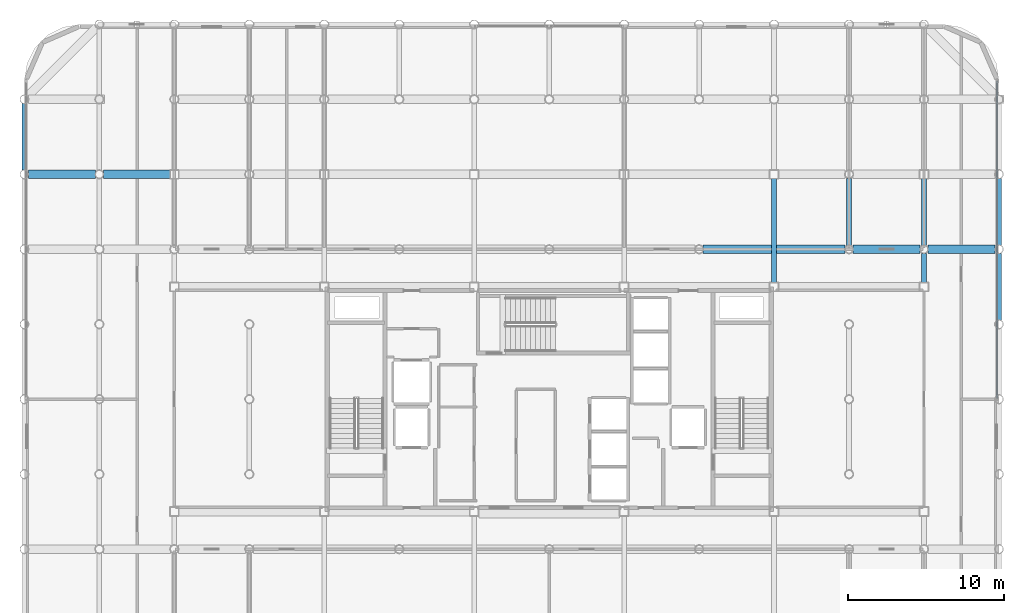
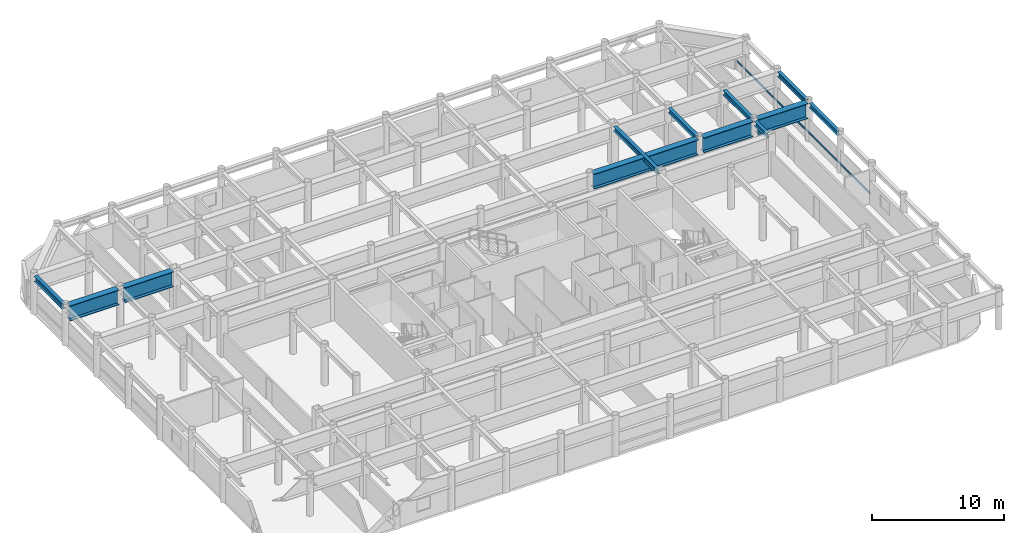
# One storey, part 11 of 21: 12 beams, 1 member, 1 element without a shape of its own.
"""IFC4 building model written with IfcOpenShell, lengths in metres."""

from ifc_helpers import new_model, si_unit, direction, frame, origin, origin_2d, place, context, subcontext, project, spatial, hollow_rectangle, i_section, extrude, material, layer, layer_set, material_profile, profile_set, type_object, element, aggregate, save


model = new_model("IFC4")

# Units and contexts
model_context = context("Model", 3, precision=1e-05, world=origin(), true_north=direction((0.0, 1.0)))
body_context = subcontext(model_context, "Body", "Model", "MODEL_VIEW")
ifc_project = project(units=[si_unit("LENGTHUNIT", "METRE"), si_unit("AREAUNIT", "SQUARE_METRE"), si_unit("VOLUMEUNIT", "CUBIC_METRE"), si_unit("PLANEANGLEUNIT", "RADIAN"), si_unit("MASSUNIT", "GRAM", prefix="KILO")], contexts=[model_context])

# Site, building, storey
site_placement = place(None, origin())
site = spatial("IfcSite", under=ifc_project, at=site_placement, CompositionType="ELEMENT")
building_placement = place(site_placement, origin())
building = spatial("IfcBuilding", under=site, at=building_placement, Name="Kallvorn Hotel Tower", CompositionType="ELEMENT")
storey_placement = place(building_placement, frame((0.0, 0.0, 272.35009765625)))
storey = spatial("IfcBuildingStorey", under=building, at=storey_placement, Name="L68", CompositionType="ELEMENT", Elevation=272.35009765625)

# Beams
ifc_material_1 = material(Name="Structural steel S355JR", Category="steel")
ifc_material_profile_1 = material_profile(ifc_material_1, i_section(OverallWidth=0.300048828125, OverallDepth=0.43994140625, WebThickness=0.011474609375, FlangeThickness=0.02099609375, at=origin_2d()), Name="HE 450 A")
ifc_profile_set_1 = profile_set([ifc_material_profile_1], Name="Structural steel S355JR")
beam_type_1 = type_object("IfcBeamType", Name="BM_HE450A", PredefinedType="BEAM", material=ifc_profile_set_1)
beam_1_placement = place(storey_placement, frame((14.39990234375, 7.47509765625, 3.3798828125), z_axis=(0.0, 1.0, 0.0), x_axis=(-1.0, 0.0, 0.0)))
element("IfcBeam", 1, at=beam_1_placement, inside=storey, type_object=beam_type_1, Name="L69 Primary Y-Girder 124", PredefinedType="BEAM", context=body_context, shape_type="SweptSolid", body=[
    extrude(i_section(OverallWidth=0.300048828125, OverallDepth=0.43994140625, WebThickness=0.011474609375, FlangeThickness=0.02099609375, at=origin_2d()), origin(), (0.0, 0.0, 1.0), 6.64990234375),
])
beam_2_placement = place(storey_placement, frame((19.199951171875, 9.8544921875, 3.3798828125), z_axis=(0.0, 1.0, 0.0), x_axis=(-1.0, 0.0, 0.0)))
element("IfcBeam", 2, at=beam_2_placement, inside=storey, type_object=beam_type_1, Name="L69 Primary Y-Girder 133", PredefinedType="BEAM", context=body_context, shape_type="SweptSolid", body=[
    extrude(i_section(OverallWidth=0.300048828125, OverallDepth=0.43994140625, WebThickness=0.011474609375, FlangeThickness=0.02099609375, at=origin_2d()), origin(), (0.0, 0.0, 1.0), 4.291015625),
])
beam_3_placement = place(storey_placement, frame((24.0, 7.47509765625, 3.3798828125), z_axis=(0.0, 1.0, 0.0), x_axis=(-1.0, 0.0, 0.0)))
element("IfcBeam", 3, at=beam_3_placement, inside=storey, type_object=beam_type_1, Name="L69 Primary Y-Girder 139", PredefinedType="BEAM", context=body_context, shape_type="SweptSolid", body=[
    extrude(i_section(OverallWidth=0.300048828125, OverallDepth=0.43994140625, WebThickness=0.011474609375, FlangeThickness=0.02099609375, at=origin_2d()), origin(), (0.0, 0.0, 1.0), 1.870361328125),
])
beam_4_placement = place(storey_placement, frame((24.0, 9.8544921875, 3.3798828125), z_axis=(0.0, 1.0, 0.0), x_axis=(-1.0, 0.0, 0.0)))
element("IfcBeam", 4, at=beam_4_placement, inside=storey, type_object=beam_type_1, Name="L69 Primary Y-Girder 140", PredefinedType="BEAM", context=body_context, shape_type="SweptSolid", body=[
    extrude(i_section(OverallWidth=0.300048828125, OverallDepth=0.43994140625, WebThickness=0.011474609375, FlangeThickness=0.02099609375, at=origin_2d()), origin(), (0.0, 0.0, 1.0), 4.2705078125),
])
for number, where, z_axis, x_axis, name in (
    (5, (28.800048828125, 5.054443359375, 3.3798828125), (0.0, 1.0, 0.0), (-1.0, 0.0, 0.0), "L69 Primary Y-Girder 148"),
    (6, (28.800048828125, 9.8544921875, 3.3798828125), (0.0, 1.0, 0.0), (-1.0, 0.0, 0.0), "L69 Primary Y-Girder 149"),
):
    element("IfcBeam", number, at=place(storey_placement, frame(where, z_axis=z_axis, x_axis=x_axis)), inside=storey, type_object=beam_type_1, Name=name, PredefinedType="BEAM", context=body_context, shape_type="SweptSolid", body=[
        extrude(i_section(OverallWidth=0.300048828125, OverallDepth=0.43994140625, WebThickness=0.011474609375, FlangeThickness=0.02099609375, at=origin_2d()), origin(), (0.0, 0.0, 1.0), 4.291015625),
    ])
ifc_material_2 = material(Name="Structural steel S355JR", Category="steel")
ifc_material_profile_2 = material_profile(ifc_material_2, i_section(OverallWidth=0.300048828125, OverallDepth=0.5, WebThickness=0.014404296875, FlangeThickness=0.028076171875, at=origin_2d()), Name="HE 500 B")
ifc_profile_set_2 = profile_set([ifc_material_profile_2], Name="Structural steel S355JR")
beam_type_2 = type_object("IfcBeamType", Name="BM_HE500B", PredefinedType="SPANDREL", material=ifc_profile_set_2)
beam_5_placement = place(storey_placement, frame((-33.60009765625, 14.66943359375, 3.349853515625), z_axis=(0.0, 1.0, 0.0), x_axis=(-1.0, 0.0, 0.0)))
element("IfcBeam", 7, at=beam_5_placement, inside=storey, type_object=beam_type_2, Name="L69 Perimeter Spandrel 180", PredefinedType="SPANDREL", context=body_context, shape_type="SweptSolid", body=[
    extrude(i_section(OverallWidth=0.300048828125, OverallDepth=0.5, WebThickness=0.014404296875, FlangeThickness=0.028076171875, at=origin_2d()), origin(), (0.0, 0.0, 1.0), 4.260986328125),
])
ifc_material_3 = material(Name="Structural steel S355JR", Category="steel")
ifc_material_profile_3 = material_profile(ifc_material_3, i_section(OverallWidth=0.550048828125, OverallDepth=1.39990234375, WebThickness=0.02490234375, FlangeThickness=0.044921875, at=origin_2d()), Name="PG 1400x550x25x45")
ifc_profile_set_3 = profile_set([ifc_material_profile_3], Name="Structural steel S355JR")
beam_type_3 = type_object("IfcBeamType", Name="BM_PG_1400", PredefinedType="BEAM", material=ifc_profile_set_3)
beam_6_placement = place(storey_placement, frame((9.8544921875, 9.60009765625, 2.89990234375), z_axis=(1.0, 0.0, 0.0), x_axis=(0.0, 1.0, 0.0)))
element("IfcBeam", 8, at=beam_6_placement, inside=storey, type_object=beam_type_3, Name="L69 Primary X-Girder 47", PredefinedType="BEAM", context=body_context, shape_type="SweptSolid", body=[
    extrude(i_section(OverallWidth=0.550048828125, OverallDepth=1.39990234375, WebThickness=0.02490234375, FlangeThickness=0.044921875, at=origin_2d()), origin(), (0.0, 0.0, 1.0), 9.091064453125),
])
for number, where, z_axis, x_axis, name in (
    (9, (19.45458984375, 9.60009765625, 2.89990234375), (1.0, 0.0, 0.0), (0.0, 1.0, 0.0), "L69 Primary X-Girder 48"),
    (10, (24.25439453125, 9.60009765625, 2.89990234375), (1.0, 0.0, 0.0), (0.0, 1.0, 0.0), "L69 Primary X-Girder 49"),
    (11, (-33.345458984375, 14.39990234375, 2.89990234375), (1.0, 0.0, 0.0), (0.0, 1.0, 0.0), "L69 Primary X-Girder 50"),
):
    element("IfcBeam", number, at=place(storey_placement, frame(where, z_axis=z_axis, x_axis=x_axis)), inside=storey, type_object=beam_type_3, Name=name, PredefinedType="BEAM", context=body_context, shape_type="SweptSolid", body=[
        extrude(i_section(OverallWidth=0.550048828125, OverallDepth=1.39990234375, WebThickness=0.02490234375, FlangeThickness=0.044921875, at=origin_2d()), origin(), (0.0, 0.0, 1.0), 4.291015625),
    ])
beam_7_placement = place(storey_placement, frame((-28.54541015625, 14.39990234375, 2.89990234375), z_axis=(1.0, 0.0, 0.0), x_axis=(0.0, 1.0, 0.0)))
element("IfcBeam", 12, at=beam_7_placement, inside=storey, type_object=beam_type_3, Name="L69 Primary X-Girder 51", PredefinedType="BEAM", context=body_context, shape_type="SweptSolid", body=[
    extrude(i_section(OverallWidth=0.550048828125, OverallDepth=1.39990234375, WebThickness=0.02490234375, FlangeThickness=0.044921875, at=origin_2d()), origin(), (0.0, 0.0, 1.0), 4.2705078125),
])

# Curtain wall, member
ifc_material_4 = material(Name="Thermally broken black-anodised aluminium AA 6063-T6", Category="aluminium")
ifc_layer = layer(ifc_material_4, 0.22998046875)
ifc_layer_set = layer_set([ifc_layer], Name="CW_SYS_5_HOTEL_HIGH")
curtain_wall_type = type_object("IfcCurtainWallType", Name="CW_SYS_5_HOTEL_HIGH", PredefinedType="USERDEFINED", material=ifc_layer_set)
curtain_wall_placement = place(storey_placement, origin())
curtain_wall = element("IfcCurtainWall", 13, at=curtain_wall_placement, inside=storey, type_object=curtain_wall_type, Name="L68 Dark-Glass Curtain Wall CW-L68-EN", ObjectType="UNITISED CURTAIN WALL", PredefinedType="USERDEFINED")
ifc_material_5 = material(Name="Thermally broken black-anodised aluminium AA 6063-T6", Category="aluminium")
ifc_material_profile_4 = material_profile(ifc_material_5, hollow_rectangle(XDim=0.070068359375, YDim=0.179931640625, WallThickness=0.00390625, at=origin_2d()), Name="TRN 180x70")
ifc_profile_set_4 = profile_set([ifc_material_profile_4], Name="Thermally broken black-anodised aluminium AA 6063-T6")
member_type = type_object("IfcMemberType", Name="CW_TRANSOM_180x70", PredefinedType="USERDEFINED", material=ifc_profile_set_4)
member_placement = place(storey_placement, frame((28.679931640625, 0.06005859375, 0.849853515625), z_axis=(0.0, 1.0, 0.0), x_axis=(-1.0, 0.0, 0.0)))
member = element("IfcMember", 14, at=member_placement, type_object=member_type, Name="CW-L68-EN Transom 00M", ObjectType="TRANSOM", PredefinedType="USERDEFINED", context=body_context, shape_type="SweptSolid", body=[
    extrude(hollow_rectangle(XDim=0.070068359375, YDim=0.179931640625, WallThickness=0.00390625, at=origin_2d()), origin(), (0.0, 0.0, 1.0), 20.300048828125),
])
aggregate(curtain_wall, [member])

save(model, "model.ifc")
